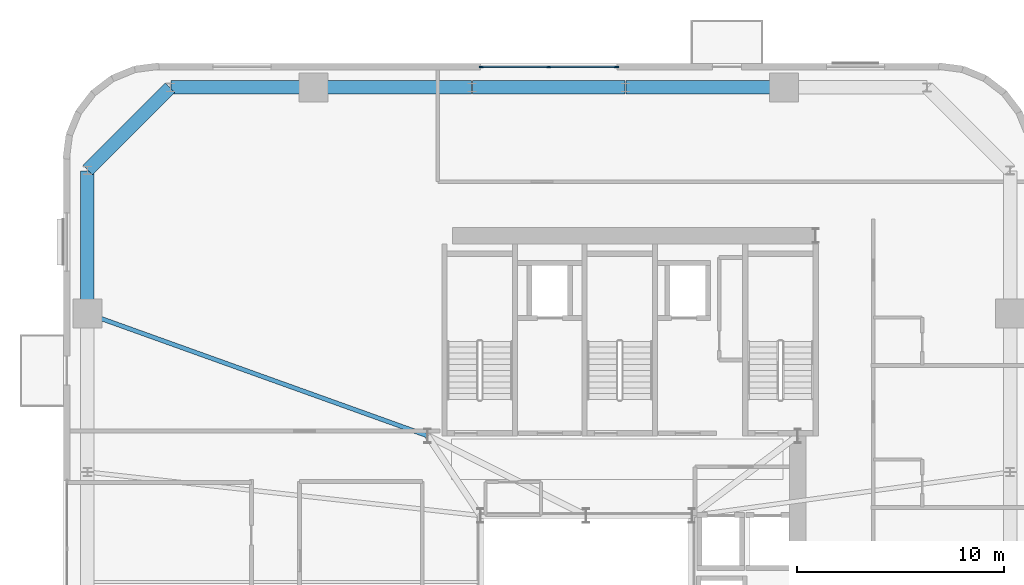
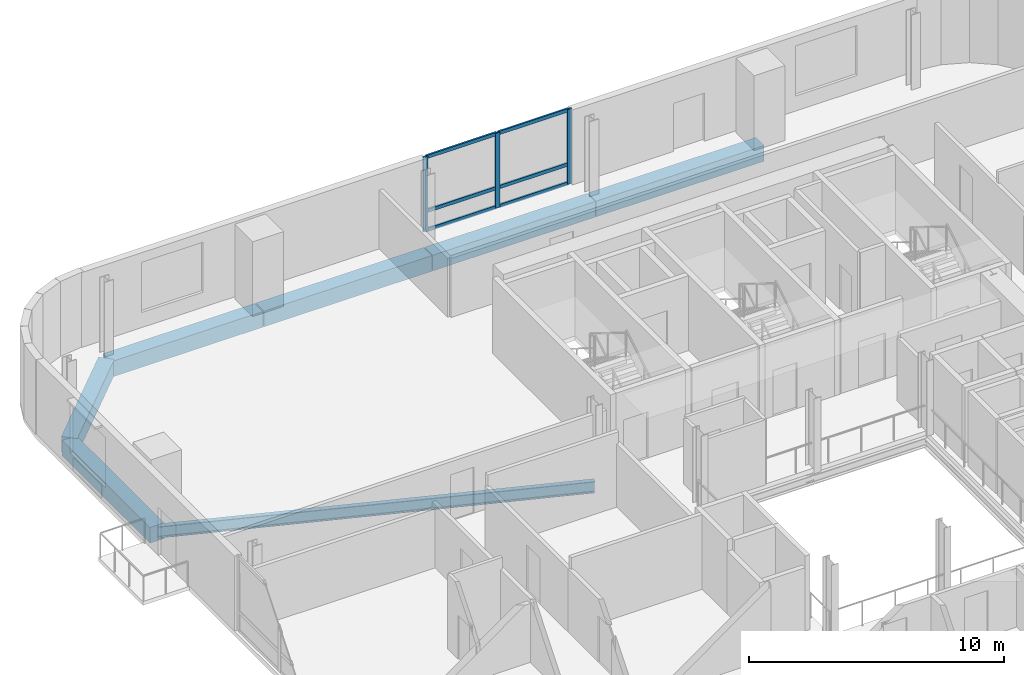
# One storey, part 6 of 16: 9 members, 7 beams, 1 element without a shape of its own.
"""IFC4 building model written with IfcOpenShell, lengths in metres."""

from ifc_helpers import new_model, si_unit, direction, frame, origin, origin_2d, place, context, subcontext, project, spatial, rectangle, i_section, extrude, source, transform, mapped, material, material_profile, profile_set, type_object, element, aggregate, save


model = new_model("IFC4")

# Units and contexts
model_context = context("Model", 3, precision=1e-05, world=origin(), true_north=direction((0.0, 1.0)))
body_context = subcontext(model_context, "Body", "Model", "MODEL_VIEW")
ifc_project = project(units=[si_unit("LENGTHUNIT", "METRE"), si_unit("AREAUNIT", "SQUARE_METRE"), si_unit("VOLUMEUNIT", "CUBIC_METRE"), si_unit("PLANEANGLEUNIT", "RADIAN"), si_unit("MASSUNIT", "GRAM", prefix="KILO")], contexts=[model_context])

# Site, building, storey
site_placement = place(None, origin())
site = spatial("IfcSite", under=ifc_project, at=site_placement, CompositionType="ELEMENT")
building_placement = place(site_placement, origin())
building = spatial("IfcBuilding", under=site, at=building_placement, Name="Vardaveli Station Tower", CompositionType="ELEMENT")
storey_placement = place(building_placement, frame((0.0, 0.0, 181.0)))
storey = spatial("IfcBuildingStorey", under=building, at=storey_placement, Name="L46", CompositionType="ELEMENT", Elevation=181.0)

# Beams
ifc_material_1 = material(Name="Precast concrete C45/55", Category="concrete")
ifc_material_profile_1 = material_profile(ifc_material_1, rectangle(XDim=0.64990234375, YDim=0.75, at=origin_2d()), Name="LPB 650x750")
ifc_profile_set_1 = profile_set([ifc_material_profile_1], Name="Precast concrete C45/55")
beam_type_1 = type_object("IfcBeamType", Name="BM-LPB-750", PredefinedType="BEAM", material=ifc_profile_set_1)
shared_shape_1 = source(origin(), body_context, "Body", "SweptSolid", [
    extrude(rectangle(XDim=0.64990234375, YDim=0.75, at=origin_2d()), origin(), (0.0, 0.0, 1.0), 7.60009765625),
])
for number, where, z_axis, x_axis, name in (
    (1, (45.820068359375, 47.449951171875, -0.594970703125), (-1.0, 0.0, 0.0), (0.0, -1.0, 0.0), "RBM-L46-13"),
    (2, (30.780029296875, 47.449951171875, -0.594970703125), (-1.0, 0.0, 0.0), (0.0, -1.0, 0.0), "RBM-L46-15"),
):
    element("IfcBeam", number, at=place(storey_placement, frame(where, z_axis=z_axis, x_axis=x_axis)), inside=storey, type_object=beam_type_1, Name=name, PredefinedType="BEAM", context=body_context, shape_type="MappedRepresentation", body=[
        mapped(shared_shape_1, transform((0.0, 0.0, 0.0), scale=1.0)),
    ])
shared_shape_2 = source(origin(), body_context, "Body", "SweptSolid", [
    extrude(rectangle(XDim=0.64990234375, YDim=0.75, at=origin_2d()), origin(), (0.0, 0.0, 1.0), 7.35986328125),
])
beam_1_placement = place(storey_placement, frame((38.179931640625, 47.449951171875, -0.594970703125), z_axis=(-1.0, 0.0, 0.0), x_axis=(0.0, -1.0, 0.0)))
element("IfcBeam", 3, at=beam_1_placement, inside=storey, type_object=beam_type_1, Name="RBM-L46-14", PredefinedType="BEAM", context=body_context, shape_type="MappedRepresentation", body=[
    mapped(shared_shape_2, transform((0.0, 0.0, 0.0), scale=1.0)),
])
shared_shape_3 = source(origin(), body_context, "Body", "SweptSolid", [
    extrude(rectangle(XDim=0.64990234375, YDim=0.75, at=origin_2d()), origin(), (0.0, 0.0, 1.0), 6.869873046875),
])
for number, where, z_axis, x_axis, name in (
    (4, (23.139892578125, 47.449951171875, -0.594970703125), (-1.0, 0.0, 0.0), (0.0, -1.0, 0.0), "RBM-L46-16"),
    (5, (12.25, 43.429931640625, -0.594970703125), (0.0, -1.0, 0.0), (1.0, 0.0, 0.0), "RBM-L46-18"),
):
    element("IfcBeam", number, at=place(storey_placement, frame(where, z_axis=z_axis, x_axis=x_axis)), inside=storey, type_object=beam_type_1, Name=name, PredefinedType="BEAM", context=body_context, shape_type="MappedRepresentation", body=[
        mapped(shared_shape_3, transform((0.0, 0.0, 0.0), scale=1.0)),
    ])
shared_shape_4 = source(origin(), body_context, "Body", "SweptSolid", [
    extrude(rectangle(XDim=0.64990234375, YDim=0.75, at=origin_2d()), origin(), (0.0, 0.0, 1.0), 5.61669921875),
])
beam_2_placement = place(storey_placement, frame((16.23583984375, 47.435791015625, -0.594970703125), z_axis=(-0.707106781187, -0.707106781187, 0.0), x_axis=(0.707106781187, -0.707106781187, 0.0)))
element("IfcBeam", 6, at=beam_2_placement, inside=storey, type_object=beam_type_1, Name="RBM-L46-17", PredefinedType="BEAM", context=body_context, shape_type="MappedRepresentation", body=[
    mapped(shared_shape_4, transform((0.0, 0.0, 0.0), scale=1.0)),
])
ifc_material_2 = material(Name="Structural steel S355J2", Category="steel")
ifc_material_profile_2 = material_profile(ifc_material_2, i_section(OverallWidth=0.2099609375, OverallDepth=0.550048828125, WebThickness=0.010986328125, FlangeThickness=0.01708984375, FilletRadius=0.02392578125, at=origin_2d()), Name="IPE 550")
ifc_profile_set_2 = profile_set([ifc_material_profile_2], Name="Structural steel S355J2")
beam_type_2 = type_object("IfcBeamType", Name="BM-IPE550", PredefinedType="BEAM", material=ifc_profile_set_2)
shared_shape_5 = source(origin(), body_context, "Body", "SweptSolid", [
    extrude(i_section(OverallWidth=0.2099609375, OverallDepth=0.550048828125, WebThickness=0.010986328125, FlangeThickness=0.01708984375, FilletRadius=0.02392578125, at=origin_2d()), origin(), (0.0, 0.0, 1.0), 17.385498046875),
])
beam_3_placement = place(storey_placement, frame((12.268798828125, 36.533203125, -0.4951171875), z_axis=(0.941143134401, -0.338008284766, 0.0), x_axis=(0.338008284766, 0.941143134401, 0.0)))
element("IfcBeam", 7, at=beam_3_placement, inside=storey, type_object=beam_type_2, Name="GBM-L46-12", PredefinedType="BEAM", context=body_context, shape_type="MappedRepresentation", body=[
    mapped(shared_shape_5, transform((0.0, 0.0, 0.0), scale=1.0)),
])

# Curtain wall, members
ifc_material_3 = material(Name="Travertine stone and solar-control glass", Category="masonry")
curtain_wall_type = type_object("IfcCurtainWallType", Name="CW-SYS-5", PredefinedType="NOTDEFINED", material=ifc_material_3)
curtain_wall_placement = place(storey_placement, origin())
curtain_wall = element("IfcCurtainWall", 8, at=curtain_wall_placement, inside=storey, type_object=curtain_wall_type, Name="CW-L46-N", PredefinedType="NOTDEFINED")
ifc_material_4 = material(Name="Anodised aluminium alloy 6063-T6", Category="aluminium")
ifc_material_profile_3 = material_profile(ifc_material_4, rectangle(XDim=0.080078125, YDim=0.205078125, at=origin_2d()), Name="CWM 80x205")
ifc_profile_set_3 = profile_set([ifc_material_profile_3], Name="Anodised aluminium alloy 6063-T6")
member_type_1 = type_object("IfcMemberType", Name="CW-SYS-5-MULL", PredefinedType="MULLION", material=ifc_profile_set_3)
shared_shape_6 = source(origin(), body_context, "Body", "SweptSolid", [
    extrude(rectangle(XDim=0.080078125, YDim=0.205078125, at=origin_2d()), origin(), (0.0, 0.0, 1.0), 3.580078125),
])
member_1_placement = place(storey_placement, frame((37.760009765625, 48.43994140625, 0.0), z_axis=(0.0, 0.0, 1.0), x_axis=(0.0, -1.0, 0.0)))
member_1 = element("IfcMember", 9, at=member_1_placement, type_object=member_type_1, Name="CW-5 mullion 1", PredefinedType="MULLION", context=body_context, shape_type="MappedRepresentation", body=[
    mapped(shared_shape_6, transform((0.0, 0.0, 0.0), scale=1.0)),
])
member_2_placement = place(storey_placement, frame((34.5, 48.43994140625, 0.0), z_axis=(0.0, 0.0, 1.0), x_axis=(0.0, -1.0, 0.0)))
member_2 = element("IfcMember", 10, at=member_2_placement, type_object=member_type_1, Name="CW-5 mullion 2", PredefinedType="MULLION", context=body_context, shape_type="MappedRepresentation", body=[
    mapped(shared_shape_6, transform((0.0, 0.0, 0.0), scale=1.0)),
])
member_3_placement = place(storey_placement, frame((31.239990234375, 48.43994140625, 0.0), z_axis=(0.0, 0.0, 1.0), x_axis=(0.0, -1.0, 0.0)))
member_3 = element("IfcMember", 11, at=member_3_placement, type_object=member_type_1, Name="CW-5 mullion 3", PredefinedType="MULLION", context=body_context, shape_type="MappedRepresentation", body=[
    mapped(shared_shape_6, transform((0.0, 0.0, 0.0), scale=1.0)),
])
ifc_material_profile_4 = material_profile(ifc_material_4, rectangle(XDim=0.080078125, YDim=0.1650390625, at=origin_2d()), Name="CWT 80x165")
ifc_profile_set_4 = profile_set([ifc_material_profile_4], Name="Anodised aluminium alloy 6063-T6")
member_type_2 = type_object("IfcMemberType", Name="CW-SYS-5-TRAN", PredefinedType="NOTDEFINED", material=ifc_profile_set_4)
shared_shape_7 = source(origin(), body_context, "Body", "SweptSolid", [
    extrude(rectangle(XDim=0.080078125, YDim=0.1650390625, at=origin_2d()), origin(), (0.0, 0.0, 1.0), 3.179931640625),
])
member_4_placement = place(storey_placement, frame((37.719970703125, 48.43994140625, 0.0400390625), z_axis=(-1.0, 0.0, 0.0), x_axis=(0.0, -1.0, 0.0)))
member_4 = element("IfcMember", 12, at=member_4_placement, type_object=member_type_2, Name="CW-5 transom 1.1", ObjectType="TRANSOM", PredefinedType="USERDEFINED", context=body_context, shape_type="MappedRepresentation", body=[
    mapped(shared_shape_7, transform((0.0, 0.0, 0.0), scale=1.0)),
])
member_5_placement = place(storey_placement, frame((37.719970703125, 48.43994140625, 0.949951171875), z_axis=(-1.0, 0.0, 0.0), x_axis=(0.0, -1.0, 0.0)))
member_5 = element("IfcMember", 13, at=member_5_placement, type_object=member_type_2, Name="CW-5 transom 1.2", ObjectType="TRANSOM", PredefinedType="USERDEFINED", context=body_context, shape_type="MappedRepresentation", body=[
    mapped(shared_shape_7, transform((0.0, 0.0, 0.0), scale=1.0)),
])
member_6_placement = place(storey_placement, frame((37.719970703125, 48.43994140625, 3.5400390625), z_axis=(-1.0, 0.0, 0.0), x_axis=(0.0, -1.0, 0.0)))
member_6 = element("IfcMember", 14, at=member_6_placement, type_object=member_type_2, Name="CW-5 transom 1.3", ObjectType="TRANSOM", PredefinedType="USERDEFINED", context=body_context, shape_type="MappedRepresentation", body=[
    mapped(shared_shape_7, transform((0.0, 0.0, 0.0), scale=1.0)),
])
member_7_placement = place(storey_placement, frame((34.4599609375, 48.43994140625, 0.0400390625), z_axis=(-1.0, 0.0, 0.0), x_axis=(0.0, -1.0, 0.0)))
member_7 = element("IfcMember", 15, at=member_7_placement, type_object=member_type_2, Name="CW-5 transom 2.1", ObjectType="TRANSOM", PredefinedType="USERDEFINED", context=body_context, shape_type="MappedRepresentation", body=[
    mapped(shared_shape_7, transform((0.0, 0.0, 0.0), scale=1.0)),
])
member_8_placement = place(storey_placement, frame((34.4599609375, 48.43994140625, 0.949951171875), z_axis=(-1.0, 0.0, 0.0), x_axis=(0.0, -1.0, 0.0)))
member_8 = element("IfcMember", 16, at=member_8_placement, type_object=member_type_2, Name="CW-5 transom 2.2", ObjectType="TRANSOM", PredefinedType="USERDEFINED", context=body_context, shape_type="MappedRepresentation", body=[
    mapped(shared_shape_7, transform((0.0, 0.0, 0.0), scale=1.0)),
])
member_9_placement = place(storey_placement, frame((34.4599609375, 48.43994140625, 3.5400390625), z_axis=(-1.0, 0.0, 0.0), x_axis=(0.0, -1.0, 0.0)))
member_9 = element("IfcMember", 17, at=member_9_placement, type_object=member_type_2, Name="CW-5 transom 2.3", ObjectType="TRANSOM", PredefinedType="USERDEFINED", context=body_context, shape_type="MappedRepresentation", body=[
    mapped(shared_shape_7, transform((0.0, 0.0, 0.0), scale=1.0)),
])
aggregate(curtain_wall, [member_1, member_2, member_3, member_4, member_5, member_6, member_7, member_8, member_9])

save(model, "model.ifc")
